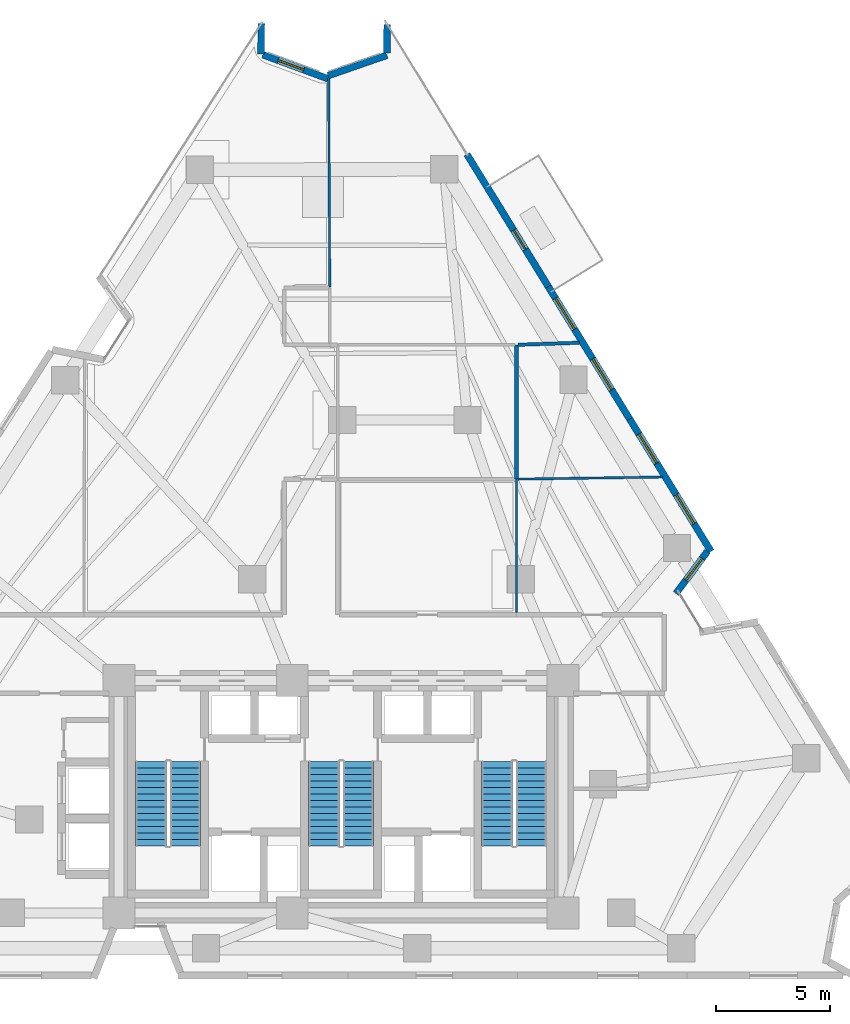
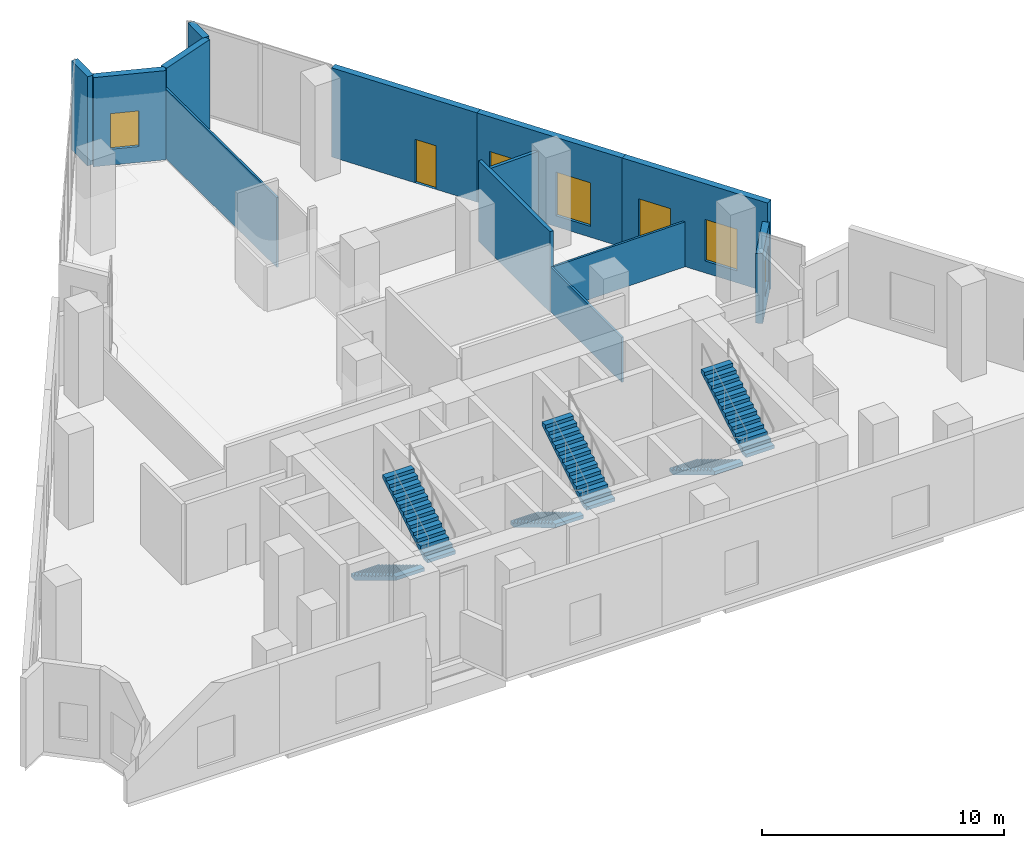
# One storey, part 9 of 13: 13 walls, 6 stair flights, 6 windows, 1 door, 7 openings, 3 elements without a shape of their own.
"""IFC4 building model written with IfcOpenShell, lengths in metres."""

import ifcopenshell
import ifcopenshell.guid

model = None  # the IFC model being written
_history = None  # IfcOwnerHistory: only IFC2X3 demands one
_inside = {}  # id of a spatial element -> (the spatial element, [elements in it])
_under = {}  # id of a project, library or spatial element -> (it, [spatial elements below it])
_declared = {}  # id of a project -> (the project, [libraries it declares])
_typed = {}  # id of a type object -> (the type object, [elements of that type])
_made_of = {}  # id of a material, layer set ... -> (it, [elements and type objects made of it])


def new_model(schema):
    """Start an empty IFC model of exactly this schema.

    Asked for "IFC4X3", IfcOpenShell would pick the latest addendum, in which some entities
    have other attributes; the version numbers below select the first issue.
    IFC2X3 requires an IfcOwnerHistory on every rooted entity: one is made here for all.
    """
    global model, _history
    if schema == "IFC4X3":
        model = ifcopenshell.file(schema_version=(4, 3, 0, 0))
    else:
        model = ifcopenshell.file(schema=schema)
    _inside.clear()
    _under.clear()
    _declared.clear()
    _typed.clear()
    _made_of.clear()
    _history = None
    if model.schema == "IFC2X3":
        org = make("IfcOrganization", Name="unknown")
        user = make(
            "IfcPersonAndOrganization",
            ThePerson=make("IfcPerson", FamilyName="unknown"),
            TheOrganization=org,
        )
        app = make(
            "IfcApplication",
            ApplicationDeveloper=org,
            Version="unknown",
            ApplicationFullName="unknown",
            ApplicationIdentifier="unknown",
        )
        _history = make(
            "IfcOwnerHistory",
            OwningUser=user,
            OwningApplication=app,
            ChangeAction="ADDED",
            CreationDate=0,
        )
    return model


def make(cls, **values):
    """One entity of the class cls with the attributes given. An attribute that is None is left unset."""
    return model.create_entity(
        cls, **{name: value for name, value in values.items() if value is not None}
    )


def rooted(cls, **values):
    """An entity with a GlobalId (a new one), such as an element, a storey or a relation."""
    return make(cls, GlobalId=ifcopenshell.guid.new(), OwnerHistory=_history, **values)


def si_unit(unit_type, name, prefix=None):
    """IfcSIUnit, for example si_unit("LENGTHUNIT", "METRE", prefix="MILLI")."""
    return make("IfcSIUnit", UnitType=unit_type, Prefix=prefix, Name=name)


def assignment(units):
    """IfcUnitAssignment: the units of a project."""
    return None if units is None else make("IfcUnitAssignment", Units=units)


def point(xyz):
    """IfcCartesianPoint."""
    return None if xyz is None else make("IfcCartesianPoint", Coordinates=xyz)


def direction(xyz):
    """IfcDirection."""
    return None if xyz is None else make("IfcDirection", DirectionRatios=xyz)


def frame(location, z_axis=None, x_axis=None):
    """IfcAxis2Placement3D, a coordinate frame: its origin and axes. An axis left out is left unset."""
    return make(
        "IfcAxis2Placement3D",
        Location=point(location),
        Axis=direction(z_axis),
        RefDirection=direction(x_axis),
    )


def frame_2d(location, x_axis=None):
    """IfcAxis2Placement2D, a coordinate frame in the plane: its origin and x axis."""
    return make(
        "IfcAxis2Placement2D", Location=point(location), RefDirection=direction(x_axis)
    )


def origin():
    """The frame at (0, 0, 0) with its axes left unset."""
    return frame((0.0, 0.0, 0.0))


def place(relative_to, where):
    """IfcLocalPlacement: puts the frame where relative to a parent placement (None: the world)."""
    return make(
        "IfcLocalPlacement", PlacementRelTo=relative_to, RelativePlacement=where
    )


def context(
    kind, dimensions, precision=None, world=None, true_north=None, identifier=None
):
    """IfcGeometricRepresentationContext, for example the 3D "Model" context."""
    return make(
        "IfcGeometricRepresentationContext",
        ContextIdentifier=identifier,
        ContextType=kind,
        CoordinateSpaceDimension=dimensions,
        Precision=precision,
        WorldCoordinateSystem=world,
        TrueNorth=true_north,
    )


def subcontext(parent, identifier, kind, view, scale=None):
    """IfcGeometricRepresentationSubContext, for example "Body" below "Model"."""
    return make(
        "IfcGeometricRepresentationSubContext",
        ContextIdentifier=identifier,
        ContextType=kind,
        ParentContext=parent,
        TargetScale=scale,
        TargetView=view,
    )


def project(units=None, contexts=None):
    """IfcProject with its units and contexts."""
    return rooted(
        "IfcProject",
        Name="project",
        RepresentationContexts=contexts,
        UnitsInContext=assignment(units),
    )


def spatial(cls, under=None, at=None, **own):
    """A site, building, storey or space (cls), placed at a placement, below another one or the project."""
    s = rooted(cls, ObjectPlacement=at, **own)
    if under is not None:
        _under.setdefault(under.id(), (under, []))[1].append(s)
    return s


def polyline(points):
    """IfcPolyline through the points."""
    return make("IfcPolyline", Points=[point(p) for p in points])


def profile(cls, at=None, kind="AREA", **sizes):
    """A parametric profile (cls). Its sizes go by their IFC names, for example OverallWidth=200.0."""
    return make(cls, ProfileType=kind, Position=at, **sizes)


def rectangle(**sizes):
    """IfcRectangleProfileDef."""
    return profile("IfcRectangleProfileDef", **sizes)


def outline(outer, holes=None, kind="AREA"):
    """IfcArbitraryClosedProfileDef: a profile drawn as a closed curve; with holes, ...WithVoids."""
    if holes is None:
        return make("IfcArbitraryClosedProfileDef", ProfileType=kind, OuterCurve=outer)
    return make(
        "IfcArbitraryProfileDefWithVoids",
        ProfileType=kind,
        OuterCurve=outer,
        InnerCurves=holes,
    )


def extrude(swept, where, along, depth):
    """IfcExtrudedAreaSolid: the profile swept, set in the frame where, extruded along a direction by depth."""
    return make(
        "IfcExtrudedAreaSolid",
        SweptArea=swept,
        Position=where,
        ExtrudedDirection=direction(along),
        Depth=depth,
    )


def shape(context_of_items, identifier, shape_type, items):
    """IfcShapeRepresentation: the items that make up one representation, for example the "Body"."""
    return make(
        "IfcShapeRepresentation",
        ContextOfItems=context_of_items,
        RepresentationIdentifier=identifier,
        RepresentationType=shape_type,
        Items=items,
    )


def material(Name=None, Category=None):
    """IfcMaterial."""
    return make("IfcMaterial", Name=Name, Category=Category)


def layer(
    of_material, thickness, ventilated=None, Name=None, Category=None, Priority=None
):
    """IfcMaterialLayer: one layer of a wall or slab, of a material (None: an air gap)."""
    return make(
        "IfcMaterialLayer",
        Material=of_material,
        LayerThickness=thickness,
        IsVentilated=ventilated,
        Name=Name,
        Category=Category,
        Priority=Priority,
    )


def layer_set(layers, Name=None):
    """IfcMaterialLayerSet."""
    return make("IfcMaterialLayerSet", MaterialLayers=layers, LayerSetName=Name)


def made_of(thing, what):
    """Note that an element or type object is made of a material, layer set ...; save() writes the relation."""
    if what is not None:
        _made_of.setdefault(what.id(), (what, []))[1].append(thing)
    return thing


def type_object(cls, material=None, **own):
    """A type object (cls), such as IfcWallType, which elements share."""
    return made_of(rooted(cls, **own), material)


def element(
    cls,
    number,
    at=None,
    inside=None,
    cuts=None,
    type_object=None,
    material=None,
    context=None,
    identifier="Body",
    shape_type=None,
    held_by="IfcProductDefinitionShape",
    body=None,
    shapes=None,
    **own,
):
    """One element of the class cls, such as IfcWall. Its Tag is "e" and its number.

    at: its placement. inside: the storey or other place that contains it. cuts: it is an
    opening in that element (IfcRelVoidsElement). A single representation is given by context,
    identifier, shape_type and body (its items); several are given by shapes. held_by: the class
    of the entity that holds the representations. save() writes the other relations.
    """
    e = rooted(cls, Tag="e%d" % number, ObjectPlacement=at, **own)
    if body is not None:
        shapes = [shape(context, identifier, shape_type, body)]
    if shapes is not None:
        e.Representation = make(held_by, Representations=shapes)
    if inside is not None:
        _inside.setdefault(inside.id(), (inside, []))[1].append(e)
    if cuts is not None:
        rooted(
            "IfcRelVoidsElement", RelatingBuildingElement=cuts, RelatedOpeningElement=e
        )
    if type_object is not None:
        _typed.setdefault(type_object.id(), (type_object, []))[1].append(e)
    return made_of(e, material)


def fill(opening, filler):
    """IfcRelFillsElement: the door or window that sits in an opening."""
    return rooted(
        "IfcRelFillsElement",
        RelatingOpeningElement=opening,
        RelatedBuildingElement=filler,
    )


def aggregate(whole, parts):
    """IfcRelAggregates: a whole, such as a stair, and the parts it consists of."""
    return rooted("IfcRelAggregates", RelatingObject=whole, RelatedObjects=parts)


def save(model, path):
    """Write the relations noted so far, then the file.

    IfcRelAggregates (storeys below a building ...), IfcRelContainedInSpatialStructure (elements
    in a storey), IfcRelDefinesByType, IfcRelAssociatesMaterial and IfcRelDeclares: one each for
    every whole, place, type object, material and project.
    """
    for whole, parts in _under.values():
        aggregate(whole, parts)
    for where, things in _inside.values():
        rooted(
            "IfcRelContainedInSpatialStructure",
            RelatedElements=things,
            RelatingStructure=where,
        )
    for kind, things in _typed.values():
        rooted("IfcRelDefinesByType", RelatedObjects=things, RelatingType=kind)
    for what, things in _made_of.values():
        rooted("IfcRelAssociatesMaterial", RelatedObjects=things, RelatingMaterial=what)
    for by, libraries in _declared.values():
        rooted("IfcRelDeclares", RelatingContext=by, RelatedDefinitions=libraries)
    model.write(path)


model = new_model("IFC4")

# Units and contexts
model_context = context("Model", 3, precision=1e-05, world=origin(), true_north=direction((0.0, 1.0)))
body_context = subcontext(model_context, "Body", "Model", "MODEL_VIEW")
ifc_project = project(units=[si_unit("LENGTHUNIT", "METRE"), si_unit("AREAUNIT", "SQUARE_METRE"), si_unit("VOLUMEUNIT", "CUBIC_METRE"), si_unit("PLANEANGLEUNIT", "RADIAN"), si_unit("MASSUNIT", "GRAM", prefix="KILO")], contexts=[model_context])

# Site, building, storey
site_placement = place(None, origin())
site = spatial("IfcSite", under=ifc_project, at=site_placement, CompositionType="ELEMENT")
building_placement = place(site_placement, origin())
building = spatial("IfcBuilding", under=site, at=building_placement, Name="Almagre Mirador Tower", CompositionType="ELEMENT")
storey_placement = place(building_placement, frame((0.0, 0.0, 100.199951171875)))
storey = spatial("IfcBuildingStorey", under=building, at=storey_placement, Name="L25", CompositionType="ELEMENT", Elevation=100.199951171875)

# Wall
ifc_material_1 = material(Name="Precast concrete C50/60", Category="concrete")
ifc_layer_1 = layer(ifc_material_1, 0.300048828125)
ifc_layer_set_1 = layer_set([ifc_layer_1], Name="Precast concrete C50/60")
wall_type_1 = type_object("IfcWallType", Name="WAL-EXT-300", PredefinedType="SOLIDWALL", material=ifc_layer_set_1)
wall_1_placement = place(storey_placement, frame((33.794921875, 43.6220703125, 0.0), z_axis=(0.0, 0.0, 1.0), x_axis=(-0.009583646658, -0.999954075804, 0.0)))
element("IfcWall", 1, at=wall_1_placement, inside=storey, type_object=wall_type_1, Name="L25 expressed almagre precast frame wall 03", PredefinedType="SOLIDWALL", context=body_context, shape_type="SweptSolid", body=[
    extrude(rectangle(XDim=1.35009765625, YDim=0.300048828125, at=frame_2d((0.675048828125, 0.0))), origin(), (0.0, 0.0, 1.0), 4.5),
])

# Wall, opening, window
wall_2_placement = place(storey_placement, frame((33.86181640625, 42.24267578125, 0.0), z_axis=(0.0, 0.0, 1.0), x_axis=(0.938226878727, -0.346020698853, 0.0)))
wall_2 = element("IfcWall", 2, at=wall_2_placement, inside=storey, type_object=wall_type_1, Name="L25 expressed almagre precast frame wall 04", PredefinedType="SOLIDWALL", context=body_context, shape_type="SweptSolid", body=[
    extrude(rectangle(XDim=3.049560546875, YDim=0.300048828125, at=frame_2d((1.52490234375, 0.0))), origin(), (0.0, 0.0, 1.0), 4.5),
])
opening_1_placement = place(wall_2_placement, frame((0.715087890625, 0.0, 0.800048828125)))
opening_1 = element("IfcOpeningElement", 3, at=opening_1_placement, cuts=wall_2, Name="Opening WN-04", PredefinedType="OPENING", context=body_context, shape_type="SweptSolid", body=[
    extrude(rectangle(XDim=1.199951171875, YDim=1.800048828125, at=frame_2d((0.60009765625, 0.89990234375))), frame((0.0, 0.159902, 0.0), z_axis=(0.0, -1.0, 0.0), x_axis=(1.0, 0.0, 0.0)), (0.0, 0.0, 1.0), 0.320049),
])
ifc_material_2 = material(Name="Dark solar-control laminated hurricane glass", Category="glass")
window_type_1 = type_object("IfcWindowType", Name="WIN-1200X1800", PartitioningType="SINGLE_PANEL", PredefinedType="WINDOW", material=ifc_material_2)
window_1_placement = place(opening_1_placement, origin())
window_1 = element("IfcWindow", 4, at=window_1_placement, inside=storey, type_object=window_type_1, Name="L25 recessed hurricane window L25-SLNG-2", OverallHeight=1.800048828125, OverallWidth=1.199951171875, PartitioningType="SINGLE_PANEL", PredefinedType="WINDOW", context=body_context, shape_type="SweptSolid", body=[
    extrude(rectangle(XDim=1.199951171875, YDim=1.800048828125, at=frame_2d((0.60009765625, 0.89990234375))), frame((0.0, 0.030029296875, 0.0), z_axis=(0.0, -1.0, 0.0), x_axis=(1.0, 0.0, 0.0)), (0.0, 0.0, 1.0), 0.06005859375),
])
fill(opening_1, window_1)

# Walls
wall_3_placement = place(storey_placement, frame((36.72119140625, 41.320068359375, 0.0), z_axis=(0.0, 0.0, 1.0), x_axis=(0.944600061393, 0.328223588452, 0.0)))
element("IfcWall", 5, at=wall_3_placement, inside=storey, type_object=wall_type_1, Name="L25 expressed almagre precast frame wall 05", PredefinedType="SOLIDWALL", context=body_context, shape_type="SweptSolid", body=[
    extrude(rectangle(XDim=2.74169921875, YDim=0.300048828125, at=frame_2d((1.370849609375, 0.0))), origin(), (0.0, 0.0, 1.0), 4.5),
])
wall_4_placement = place(storey_placement, frame((39.311767578125, 42.31005859375, 0.0), z_axis=(0.0, 0.0, 1.0), x_axis=(0.008912647346, 0.99996028157, 0.0)))
element("IfcWall", 6, at=wall_4_placement, inside=storey, type_object=wall_type_1, Name="L25 expressed almagre precast frame wall 06", PredefinedType="SOLIDWALL", context=body_context, shape_type="SweptSolid", body=[
    extrude(rectangle(XDim=1.260009765625, YDim=0.300048828125, at=frame_2d((0.6298828125, 0.0))), origin(), (0.0, 0.0, 1.0), 4.5),
])

# Wall, opening, door
wall_5_placement = place(storey_placement, frame((42.8251953125, 37.873291015625, 0.0), z_axis=(0.0, 0.0, 1.0), x_axis=(0.523658422803, -0.851928316366, 0.0)))
wall_5 = element("IfcWall", 7, at=wall_5_placement, inside=storey, type_object=wall_type_1, Name="L25 expressed almagre precast frame wall 07", PredefinedType="SOLIDWALL", context=body_context, shape_type="SweptSolid", body=[
    extrude(rectangle(XDim=6.827392578125, YDim=0.300048828125, at=frame_2d((3.41357421875, 0.0))), origin(), (0.0, 0.0, 1.0), 4.5),
])
opening_2_placement = place(wall_5_placement, frame((3.9140625, 0.0, 0.0)))
opening_2 = element("IfcOpeningElement", 8, at=opening_2_placement, cuts=wall_5, Name="Opening BD-01", PredefinedType="OPENING", context=body_context, shape_type="SweptSolid", body=[
    extrude(rectangle(XDim=1.0, YDim=2.199951171875, at=frame_2d((0.5, 1.10009765625))), frame((0.0, 0.159902, 0.0), z_axis=(0.0, -1.0, 0.0), x_axis=(1.0, 0.0, 0.0)), (0.0, 0.0, 1.0), 0.320049),
])
ifc_material_3 = material(Name="Black anodized aluminium and laminated glass", Category="aluminium")
door_type = type_object("IfcDoorType", Name="DOR-BAL-1000X2200", OperationType="NOTDEFINED", PredefinedType="DOOR", material=ifc_material_3)
door_placement = place(opening_2_placement, origin())
door = element("IfcDoor", 9, at=door_placement, inside=storey, type_object=door_type, Name="DR-0845 L25 east balcony glazed door 2", OperationType="SINGLE_SWING_RIGHT", OverallHeight=2.199951171875, OverallWidth=1.0, PredefinedType="DOOR", context=body_context, shape_type="SweptSolid", body=[
    extrude(rectangle(XDim=1.0, YDim=2.199951171875, at=frame_2d((0.5, 1.10009765625))), frame((0.0, 0.02490234375, 0.0), z_axis=(0.0, -1.0, 0.0), x_axis=(1.0, 0.0, 0.0)), (0.0, 0.0, 1.0), 0.050048828125),
])
fill(opening_2, door)

# Wall, openings, windows
wall_6_placement = place(storey_placement, frame((46.400390625, 32.056884765625, 0.0), z_axis=(0.0, 0.0, 1.0), x_axis=(0.523716283242, -0.851892748336, 0.0)))
wall_6 = element("IfcWall", 10, at=wall_6_placement, inside=storey, type_object=wall_type_1, Name="L25 expressed almagre precast frame wall 08", PredefinedType="SOLIDWALL", context=body_context, shape_type="SweptSolid", body=[
    extrude(rectangle(XDim=6.8271484375, YDim=0.300048828125, at=frame_2d((3.41357421875, 0.0))), origin(), (0.0, 0.0, 1.0), 4.5),
])
opening_3_placement = place(wall_6_placement, frame((3.72509765625, 0.0, 0.550048828125)))
opening_3 = element("IfcOpeningElement", 11, at=opening_3_placement, cuts=wall_6, Name="Opening WN-06", PredefinedType="OPENING", context=body_context, shape_type="SweptSolid", body=[
    extrude(rectangle(XDim=1.60009765625, YDim=2.199951171875, at=frame_2d((0.800048828125, 1.10009765625))), frame((0.0, 0.159902, 0.0), z_axis=(0.0, -1.0, 0.0), x_axis=(1.0, 0.0, 0.0)), (0.0, 0.0, 1.0), 0.320049),
])
opening_4_placement = place(wall_6_placement, frame((0.60009765625, 0.0, 0.550048828125)))
opening_4 = element("IfcOpeningElement", 12, at=opening_4_placement, cuts=wall_6, Name="Opening WN-06", PredefinedType="OPENING", context=body_context, shape_type="SweptSolid", body=[
    extrude(rectangle(XDim=1.60009765625, YDim=2.199951171875, at=frame_2d((0.800048828125, 1.10009765625))), frame((0.0, 0.159902, 0.0), z_axis=(0.0, -1.0, 0.0), x_axis=(1.0, 0.0, 0.0)), (0.0, 0.0, 1.0), 0.320049),
])
ifc_material_4 = material(Name="Dark solar-control laminated hurricane glass", Category="glass")
window_type_2 = type_object("IfcWindowType", Name="WIN-1600X2200", PartitioningType="DOUBLE_PANEL_VERTICAL", PredefinedType="WINDOW", material=ifc_material_4)
window_2_placement = place(opening_3_placement, origin())
window_2 = element("IfcWindow", 13, at=window_2_placement, inside=storey, type_object=window_type_2, Name="L25 recessed hurricane window L25-SBRS-2", OverallHeight=2.199951171875, OverallWidth=1.60009765625, PartitioningType="SINGLE_PANEL", PredefinedType="WINDOW", context=body_context, shape_type="SweptSolid", body=[
    extrude(rectangle(XDim=1.60009765625, YDim=2.199951171875, at=frame_2d((0.800048828125, 1.10009765625))), frame((0.0, 0.030029296875, 0.0), z_axis=(0.0, -1.0, 0.0), x_axis=(1.0, 0.0, 0.0)), (0.0, 0.0, 1.0), 0.06005859375),
])
fill(opening_3, window_2)
window_3_placement = place(opening_4_placement, origin())
window_3 = element("IfcWindow", 14, at=window_3_placement, inside=storey, type_object=window_type_2, Name="L25 recessed hurricane window L25-STEA", OverallHeight=2.199951171875, OverallWidth=1.60009765625, PartitioningType="SINGLE_PANEL", PredefinedType="WINDOW", context=body_context, shape_type="SweptSolid", body=[
    extrude(rectangle(XDim=1.60009765625, YDim=2.199951171875, at=frame_2d((0.800048828125, 1.10009765625))), frame((0.0, 0.030029296875, 0.0), z_axis=(0.0, -1.0, 0.0), x_axis=(1.0, 0.0, 0.0)), (0.0, 0.0, 1.0), 0.06005859375),
])
fill(opening_4, window_3)

wall_7_placement = place(storey_placement, frame((49.975830078125, 26.240966796875, 0.0), z_axis=(0.0, 0.0, 1.0), x_axis=(0.52370032897, -0.851902556303, 0.0)))
wall_7 = element("IfcWall", 15, at=wall_7_placement, inside=storey, type_object=wall_type_1, Name="L25 expressed almagre precast frame wall 09", PredefinedType="SOLIDWALL", context=body_context, shape_type="SweptSolid", body=[
    extrude(rectangle(XDim=6.8271484375, YDim=0.300048828125, at=frame_2d((3.41357421875, 0.0))), origin(), (0.0, 0.0, 1.0), 4.5),
])
opening_5_placement = place(wall_7_placement, frame((0.77490234375, 0.0, 0.60009765625)))
opening_5 = element("IfcOpeningElement", 16, at=opening_5_placement, cuts=wall_7, Name="Opening WN-03", PredefinedType="OPENING", context=body_context, shape_type="SweptSolid", body=[
    extrude(rectangle(XDim=1.5, YDim=2.10009765625, at=frame_2d((0.75, 1.050048828125))), frame((0.0, 0.159902, 0.0), z_axis=(0.0, -1.0, 0.0), x_axis=(1.0, 0.0, 0.0)), (0.0, 0.0, 1.0), 0.320049),
])
opening_6_placement = place(wall_7_placement, frame((3.89990234375, 0.0, 0.60009765625)))
opening_6 = element("IfcOpeningElement", 17, at=opening_6_placement, cuts=wall_7, Name="Opening WN-03", PredefinedType="OPENING", context=body_context, shape_type="SweptSolid", body=[
    extrude(rectangle(XDim=1.5, YDim=2.10009765625, at=frame_2d((0.75, 1.050048828125))), frame((0.0, 0.159902, 0.0), z_axis=(0.0, -1.0, 0.0), x_axis=(1.0, 0.0, 0.0)), (0.0, 0.0, 1.0), 0.320049),
])
ifc_material_5 = material(Name="Dark solar-control laminated hurricane glass", Category="glass")
window_type_3 = type_object("IfcWindowType", Name="WIN-1500X2100", PartitioningType="DOUBLE_PANEL_VERTICAL", PredefinedType="WINDOW", material=ifc_material_5)
window_4_placement = place(opening_5_placement, origin())
window_4 = element("IfcWindow", 18, at=window_4_placement, inside=storey, type_object=window_type_3, Name="L25 recessed hurricane window L25-SBRS-2", OverallHeight=2.10009765625, OverallWidth=1.5, PartitioningType="SINGLE_PANEL", PredefinedType="WINDOW", context=body_context, shape_type="SweptSolid", body=[
    extrude(rectangle(XDim=1.5, YDim=2.10009765625, at=frame_2d((0.75, 1.050048828125))), frame((0.0, 0.030029296875, 0.0), z_axis=(0.0, -1.0, 0.0), x_axis=(1.0, 0.0, 0.0)), (0.0, 0.0, 1.0), 0.06005859375),
])
fill(opening_5, window_4)
window_5_placement = place(opening_6_placement, origin())
window_5 = element("IfcWindow", 19, at=window_5_placement, inside=storey, type_object=window_type_3, Name="L25 recessed hurricane window L25-SOFF", OverallHeight=2.10009765625, OverallWidth=1.5, PartitioningType="SINGLE_PANEL", PredefinedType="WINDOW", context=body_context, shape_type="SweptSolid", body=[
    extrude(rectangle(XDim=1.5, YDim=2.10009765625, at=frame_2d((0.75, 1.050048828125))), frame((0.0, 0.030029296875, 0.0), z_axis=(0.0, -1.0, 0.0), x_axis=(1.0, 0.0, 0.0)), (0.0, 0.0, 1.0), 0.06005859375),
])
fill(opening_6, window_5)

# Wall, opening, window
wall_8_placement = place(storey_placement, frame((53.394287109375, 20.431884765625, 0.0), z_axis=(0.0, 0.0, 1.0), x_axis=(-0.598208831712, -0.801340248372, 0.0)))
wall_8 = element("IfcWall", 20, at=wall_8_placement, inside=storey, type_object=wall_type_1, Name="L25 expressed almagre precast frame wall 10", PredefinedType="SOLIDWALL", context=body_context, shape_type="SweptSolid", body=[
    extrude(rectangle(XDim=2.313720703125, YDim=0.300048828125, at=frame_2d((1.15673828125, 0.0))), origin(), (0.0, 0.0, 1.0), 3.525146484375),
])
opening_7_placement = place(wall_8_placement, frame((0.39501953125, 0.0, 0.800048828125)))
opening_7 = element("IfcOpeningElement", 21, at=opening_7_placement, cuts=wall_8, Name="Opening WN-04", PredefinedType="OPENING", context=body_context, shape_type="SweptSolid", body=[
    extrude(rectangle(XDim=1.199951171875, YDim=1.800048828125, at=frame_2d((0.60009765625, 0.89990234375))), frame((0.0, 0.159902, 0.0), z_axis=(0.0, -1.0, 0.0), x_axis=(1.0, 0.0, 0.0)), (0.0, 0.0, 1.0), 0.320049),
])
window_6_placement = place(opening_7_placement, origin())
window_6 = element("IfcWindow", 22, at=window_6_placement, inside=storey, type_object=window_type_1, Name="L25 recessed hurricane window L25-SOFF", OverallHeight=1.800048828125, OverallWidth=1.199951171875, PartitioningType="SINGLE_PANEL", PredefinedType="WINDOW", context=body_context, shape_type="SweptSolid", body=[
    extrude(rectangle(XDim=1.199951171875, YDim=1.800048828125, at=frame_2d((0.60009765625, 0.89990234375))), frame((0.0, 0.030029296875, 0.0), z_axis=(0.0, -1.0, 0.0), x_axis=(1.0, 0.0, 0.0)), (0.0, 0.0, 1.0), 0.06005859375),
])
fill(opening_7, window_6)

# Walls
ifc_material_6 = material(Name="Gypsum acoustic stud partition", Category="other")
ifc_layer_2 = layer(ifc_material_6, 0.10009765625)
ifc_layer_set_2 = layer_set([ifc_layer_2], Name="Gypsum acoustic stud partition")
wall_type_2 = type_object("IfcWallType", Name="WAL-PRT-100-CLS", PredefinedType="PARTITIONING", material=ifc_layer_set_2)
wall_9_placement = place(storey_placement, frame((45.072509765625, 23.600830078125, 0.0), z_axis=(0.0, 0.0, 1.0), x_axis=(0.999896713002, 0.014372311135, 0.0)))
element("IfcWall", 23, at=wall_9_placement, inside=storey, type_object=wall_type_2, Name="L25 interior partition 014", PredefinedType="PARTITIONING", context=body_context, shape_type="SweptSolid", body=[
    extrude(rectangle(XDim=6.336181640625, YDim=0.10009765625, at=frame_2d((3.16796875, 0.0))), origin(), (0.0, 0.0, 1.0), 2.27001953125),
])
wall_10_placement = place(storey_placement, frame((45.0, 17.735107421875, 0.0), z_axis=(0.0, 0.0, 1.0), x_axis=(0.0, 1.0, 0.0)))
element("IfcWall", 24, at=wall_10_placement, inside=storey, type_object=wall_type_2, Name="L25 interior partition 020", PredefinedType="PARTITIONING", context=body_context, shape_type="SweptSolid", body=[
    extrude(rectangle(XDim=5.864990234375, YDim=0.10009765625, at=frame_2d((2.9326171875, 0.0))), origin(), (0.0, 0.0, 1.0), 2.27001953125),
])
wall_11_placement = place(storey_placement, frame((36.751708984375, 41.1953125, 0.0), z_axis=(0.0, 0.0, 1.0), x_axis=(0.005251860388, -0.999986208886, 0.0)))
element("IfcWall", 25, at=wall_11_placement, inside=storey, type_object=wall_type_2, Name="L25 interior partition 023", PredefinedType="PARTITIONING", context=body_context, shape_type="SweptSolid", body=[
    extrude(rectangle(XDim=9.157958984375, YDim=0.10009765625, at=frame_2d((4.5791015625, 0.0))), origin(), (0.0, 0.0, 1.0), 3.52001953125),
])
ifc_material_7 = material(Name="Gypsum acoustic stud partition", Category="other")
ifc_layer_3 = layer(ifc_material_7, 0.14990234375)
ifc_layer_set_3 = layer_set([ifc_layer_3], Name="Gypsum acoustic stud partition")
wall_type_3 = type_object("IfcWallType", Name="WAL-PRT-150-STD", PredefinedType="PARTITIONING", material=ifc_layer_set_3)
wall_12_placement = place(storey_placement, frame((47.777099609375, 29.592041015625, 0.0), z_axis=(0.0, 0.0, 1.0), x_axis=(-0.999445707747, -0.033290798534, 0.0)))
element("IfcWall", 26, at=wall_12_placement, inside=storey, type_object=wall_type_3, Name="L25 interior partition 013", PredefinedType="PARTITIONING", context=body_context, shape_type="SweptSolid", body=[
    extrude(rectangle(XDim=2.7060546875, YDim=0.14990234375, at=frame_2d((1.35302734375, 0.0))), origin(), (0.0, 0.0, 1.0), 3.52001953125),
])
ifc_material_8 = material(Name="Gypsum acoustic stud partition", Category="other")
ifc_layer_4 = layer(ifc_material_8, 0.175048828125)
ifc_layer_set_4 = layer_set([ifc_layer_4], Name="Gypsum acoustic stud partition")
wall_type_4 = type_object("IfcWallType", Name="WAL-PRT-175-AC", PredefinedType="PARTITIONING", material=ifc_layer_set_4)
wall_13_placement = place(storey_placement, frame((45.0, 29.5, 0.0), z_axis=(0.0, 0.0, 1.0), x_axis=(0.0, -1.0, 0.0)))
element("IfcWall", 27, at=wall_13_placement, inside=storey, type_object=wall_type_4, Name="L25 interior partition 012", PredefinedType="PARTITIONING", context=body_context, shape_type="SweptSolid", body=[
    extrude(rectangle(XDim=5.89990234375, YDim=0.175048828125, at=frame_2d((2.949951171875, 0.0))), origin(), (0.0, 0.0, 1.0), 4.06103515625),
])

# Stair, stair flights
ifc_material_9 = material(Name="Concrete C45/55", Category="concrete")
stair_type = type_object("IfcStairType", Name="STR-DL-4800", PredefinedType="HALF_TURN_STAIR", material=ifc_material_9)
stair_1_placement = place(storey_placement, origin())
stair_1 = element("IfcStair", 28, at=stair_1_placement, inside=storey, type_object=stair_type, Name="L25 Protected exit stair ST-1", PredefinedType="HALF_TURN_STAIR")
ifc_material_10 = material(Name="Concrete C45/55", Category="concrete")
stair_flight_type = type_object("IfcStairFlightType", Name="FLT-DL-4800", PredefinedType="STRAIGHT", material=ifc_material_10)
stair_flight_1_placement = place(storey_placement, frame((28.949951171875, 11.199951171875, 0.0), z_axis=(0.0, 0.0, 1.0), x_axis=(0.0, -1.0, 0.0)))
stair_flight_1 = element("IfcStairFlight", 29, at=stair_flight_1_placement, type_object=stair_flight_type, Name="ST-1 flight 1", NumberOfRisers=14, NumberOfTreads=13, PredefinedType="STRAIGHT", RiserHeight=0.171428571, TreadLength=0.285, context=body_context, shape_type="SweptSolid", body=[
    extrude(outline(polyline([(0.0, 0.0), (0.0, 0.17138671875), (0.284912109375, 0.17138671875), (0.284912109375, 0.3427734375), (0.570068359375, 0.3427734375), (0.570068359375, 0.514404296875), (0.85498046875, 0.514404296875), (0.85498046875, 0.685791015625), (1.139892578125, 0.685791015625), (1.139892578125, 0.857177734375), (1.425048828125, 0.857177734375), (1.425048828125, 1.028564453125), (1.7099609375, 1.028564453125), (1.7099609375, 1.199951171875), (1.9951171875, 1.199951171875), (1.9951171875, 1.371337890625), (2.280029296875, 1.371337890625), (2.280029296875, 1.54296875), (2.56494140625, 1.54296875), (2.56494140625, 1.71435546875), (2.85009765625, 1.71435546875), (2.85009765625, 1.8857421875), (3.135009765625, 1.8857421875), (3.135009765625, 2.05712890625), (3.419921875, 2.05712890625), (3.419921875, 2.228515625), (3.705078125, 2.228515625), (3.705078125, 2.39990234375), (3.705078125, 2.0537109375), (0.290771484375, 0.0), (0.0, 0.0)])), frame((0.0, 0.675048828125, 0.0), z_axis=(0.0, -1.0, 0.0), x_axis=(1.0, 0.0, 0.0)), (0.0, 0.0, 1.0), 1.35009765625),
])
stair_flight_2_placement = place(storey_placement, frame((30.449951171875, 7.4951171875, 2.400146484375), z_axis=(0.0, 0.0, 1.0), x_axis=(0.0, 1.0, 0.0)))
stair_flight_2 = element("IfcStairFlight", 30, at=stair_flight_2_placement, type_object=stair_flight_type, Name="ST-1 flight 2", NumberOfRisers=14, NumberOfTreads=13, PredefinedType="STRAIGHT", RiserHeight=0.171428571, TreadLength=0.285, context=body_context, shape_type="SweptSolid", body=[
    extrude(outline(polyline([(0.0, 0.0), (0.0, 0.17138671875), (0.284912109375, 0.17138671875), (0.284912109375, 0.3427734375), (0.570068359375, 0.3427734375), (0.570068359375, 0.514404296875), (0.85498046875, 0.514404296875), (0.85498046875, 0.685791015625), (1.139892578125, 0.685791015625), (1.139892578125, 0.857177734375), (1.425048828125, 0.857177734375), (1.425048828125, 1.028564453125), (1.7099609375, 1.028564453125), (1.7099609375, 1.199951171875), (1.9951171875, 1.199951171875), (1.9951171875, 1.371337890625), (2.280029296875, 1.371337890625), (2.280029296875, 1.54296875), (2.56494140625, 1.54296875), (2.56494140625, 1.71435546875), (2.85009765625, 1.71435546875), (2.85009765625, 1.8857421875), (3.135009765625, 1.8857421875), (3.135009765625, 2.05712890625), (3.419921875, 2.05712890625), (3.419921875, 2.228515625), (3.705078125, 2.228515625), (3.705078125, 2.39990234375), (3.705078125, 2.0537109375), (0.290771484375, 0.0), (0.0, 0.0)])), frame((0.0, 0.675048828125, 0.0), z_axis=(0.0, -1.0, 0.0), x_axis=(1.0, 0.0, 0.0)), (0.0, 0.0, 1.0), 1.35009765625),
])
aggregate(stair_1, [stair_flight_1, stair_flight_2])

stair_2_placement = place(storey_placement, origin())
stair_2 = element("IfcStair", 31, at=stair_2_placement, inside=storey, type_object=stair_type, Name="L25 Protected exit stair ST-2", PredefinedType="HALF_TURN_STAIR")
stair_flight_3_placement = place(storey_placement, frame((36.550048828125, 11.199951171875, 0.0), z_axis=(0.0, 0.0, 1.0), x_axis=(0.0, -1.0, 0.0)))
stair_flight_3 = element("IfcStairFlight", 32, at=stair_flight_3_placement, type_object=stair_flight_type, Name="ST-2 flight 1", NumberOfRisers=14, NumberOfTreads=13, PredefinedType="STRAIGHT", RiserHeight=0.171428571, TreadLength=0.285, context=body_context, shape_type="SweptSolid", body=[
    extrude(outline(polyline([(0.0, 0.0), (0.0, 0.17138671875), (0.284912109375, 0.17138671875), (0.284912109375, 0.3427734375), (0.570068359375, 0.3427734375), (0.570068359375, 0.514404296875), (0.85498046875, 0.514404296875), (0.85498046875, 0.685791015625), (1.139892578125, 0.685791015625), (1.139892578125, 0.857177734375), (1.425048828125, 0.857177734375), (1.425048828125, 1.028564453125), (1.7099609375, 1.028564453125), (1.7099609375, 1.199951171875), (1.9951171875, 1.199951171875), (1.9951171875, 1.371337890625), (2.280029296875, 1.371337890625), (2.280029296875, 1.54296875), (2.56494140625, 1.54296875), (2.56494140625, 1.71435546875), (2.85009765625, 1.71435546875), (2.85009765625, 1.8857421875), (3.135009765625, 1.8857421875), (3.135009765625, 2.05712890625), (3.419921875, 2.05712890625), (3.419921875, 2.228515625), (3.705078125, 2.228515625), (3.705078125, 2.39990234375), (3.705078125, 2.0537109375), (0.290771484375, 0.0), (0.0, 0.0)])), frame((0.0, 0.675048828125, 0.0), z_axis=(0.0, -1.0, 0.0), x_axis=(1.0, 0.0, 0.0)), (0.0, 0.0, 1.0), 1.35009765625),
])
stair_flight_4_placement = place(storey_placement, frame((38.050048828125, 7.4951171875, 2.400146484375), z_axis=(0.0, 0.0, 1.0), x_axis=(0.0, 1.0, 0.0)))
stair_flight_4 = element("IfcStairFlight", 33, at=stair_flight_4_placement, type_object=stair_flight_type, Name="ST-2 flight 2", NumberOfRisers=14, NumberOfTreads=13, PredefinedType="STRAIGHT", RiserHeight=0.171428571, TreadLength=0.285, context=body_context, shape_type="SweptSolid", body=[
    extrude(outline(polyline([(0.0, 0.0), (0.0, 0.17138671875), (0.284912109375, 0.17138671875), (0.284912109375, 0.3427734375), (0.570068359375, 0.3427734375), (0.570068359375, 0.514404296875), (0.85498046875, 0.514404296875), (0.85498046875, 0.685791015625), (1.139892578125, 0.685791015625), (1.139892578125, 0.857177734375), (1.425048828125, 0.857177734375), (1.425048828125, 1.028564453125), (1.7099609375, 1.028564453125), (1.7099609375, 1.199951171875), (1.9951171875, 1.199951171875), (1.9951171875, 1.371337890625), (2.280029296875, 1.371337890625), (2.280029296875, 1.54296875), (2.56494140625, 1.54296875), (2.56494140625, 1.71435546875), (2.85009765625, 1.71435546875), (2.85009765625, 1.8857421875), (3.135009765625, 1.8857421875), (3.135009765625, 2.05712890625), (3.419921875, 2.05712890625), (3.419921875, 2.228515625), (3.705078125, 2.228515625), (3.705078125, 2.39990234375), (3.705078125, 2.0537109375), (0.290771484375, 0.0), (0.0, 0.0)])), frame((0.0, 0.675048828125, 0.0), z_axis=(0.0, -1.0, 0.0), x_axis=(1.0, 0.0, 0.0)), (0.0, 0.0, 1.0), 1.35009765625),
])
aggregate(stair_2, [stair_flight_3, stair_flight_4])

stair_3_placement = place(storey_placement, origin())
stair_3 = element("IfcStair", 34, at=stair_3_placement, inside=storey, type_object=stair_type, Name="L25 Protected exit stair ST-3", PredefinedType="HALF_TURN_STAIR")
stair_flight_5_placement = place(storey_placement, frame((44.14990234375, 11.199951171875, 0.0), z_axis=(0.0, 0.0, 1.0), x_axis=(0.0, -1.0, 0.0)))
stair_flight_5 = element("IfcStairFlight", 35, at=stair_flight_5_placement, type_object=stair_flight_type, Name="ST-3 flight 1", NumberOfRisers=14, NumberOfTreads=13, PredefinedType="STRAIGHT", RiserHeight=0.171428571, TreadLength=0.285, context=body_context, shape_type="SweptSolid", body=[
    extrude(outline(polyline([(0.0, 0.0), (0.0, 0.17138671875), (0.284912109375, 0.17138671875), (0.284912109375, 0.3427734375), (0.570068359375, 0.3427734375), (0.570068359375, 0.514404296875), (0.85498046875, 0.514404296875), (0.85498046875, 0.685791015625), (1.139892578125, 0.685791015625), (1.139892578125, 0.857177734375), (1.425048828125, 0.857177734375), (1.425048828125, 1.028564453125), (1.7099609375, 1.028564453125), (1.7099609375, 1.199951171875), (1.9951171875, 1.199951171875), (1.9951171875, 1.371337890625), (2.280029296875, 1.371337890625), (2.280029296875, 1.54296875), (2.56494140625, 1.54296875), (2.56494140625, 1.71435546875), (2.85009765625, 1.71435546875), (2.85009765625, 1.8857421875), (3.135009765625, 1.8857421875), (3.135009765625, 2.05712890625), (3.419921875, 2.05712890625), (3.419921875, 2.228515625), (3.705078125, 2.228515625), (3.705078125, 2.39990234375), (3.705078125, 2.0537109375), (0.290771484375, 0.0), (0.0, 0.0)])), frame((0.0, 0.675048828125, 0.0), z_axis=(0.0, -1.0, 0.0), x_axis=(1.0, 0.0, 0.0)), (0.0, 0.0, 1.0), 1.35009765625),
])
stair_flight_6_placement = place(storey_placement, frame((45.64990234375, 7.4951171875, 2.400146484375), z_axis=(0.0, 0.0, 1.0), x_axis=(0.0, 1.0, 0.0)))
stair_flight_6 = element("IfcStairFlight", 36, at=stair_flight_6_placement, type_object=stair_flight_type, Name="ST-3 flight 2", NumberOfRisers=14, NumberOfTreads=13, PredefinedType="STRAIGHT", RiserHeight=0.171428571, TreadLength=0.285, context=body_context, shape_type="SweptSolid", body=[
    extrude(outline(polyline([(0.0, 0.0), (0.0, 0.17138671875), (0.284912109375, 0.17138671875), (0.284912109375, 0.3427734375), (0.570068359375, 0.3427734375), (0.570068359375, 0.514404296875), (0.85498046875, 0.514404296875), (0.85498046875, 0.685791015625), (1.139892578125, 0.685791015625), (1.139892578125, 0.857177734375), (1.425048828125, 0.857177734375), (1.425048828125, 1.028564453125), (1.7099609375, 1.028564453125), (1.7099609375, 1.199951171875), (1.9951171875, 1.199951171875), (1.9951171875, 1.371337890625), (2.280029296875, 1.371337890625), (2.280029296875, 1.54296875), (2.56494140625, 1.54296875), (2.56494140625, 1.71435546875), (2.85009765625, 1.71435546875), (2.85009765625, 1.8857421875), (3.135009765625, 1.8857421875), (3.135009765625, 2.05712890625), (3.419921875, 2.05712890625), (3.419921875, 2.228515625), (3.705078125, 2.228515625), (3.705078125, 2.39990234375), (3.705078125, 2.0537109375), (0.290771484375, 0.0), (0.0, 0.0)])), frame((0.0, 0.675048828125, 0.0), z_axis=(0.0, -1.0, 0.0), x_axis=(1.0, 0.0, 0.0)), (0.0, 0.0, 1.0), 1.35009765625),
])
aggregate(stair_3, [stair_flight_5, stair_flight_6])

save(model, "model.ifc")
